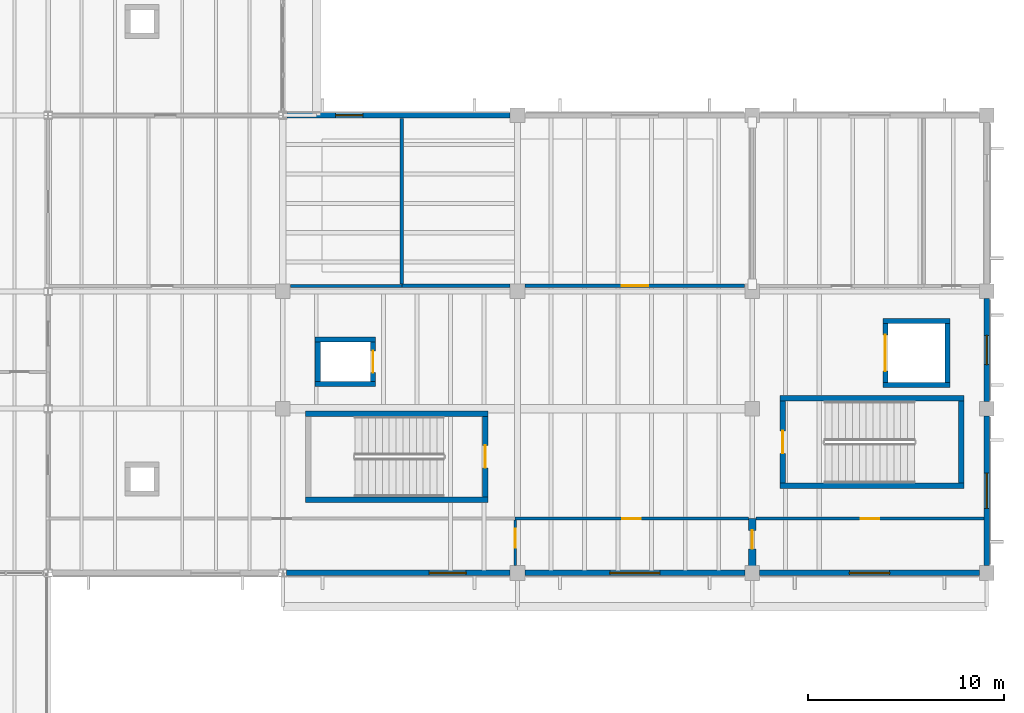
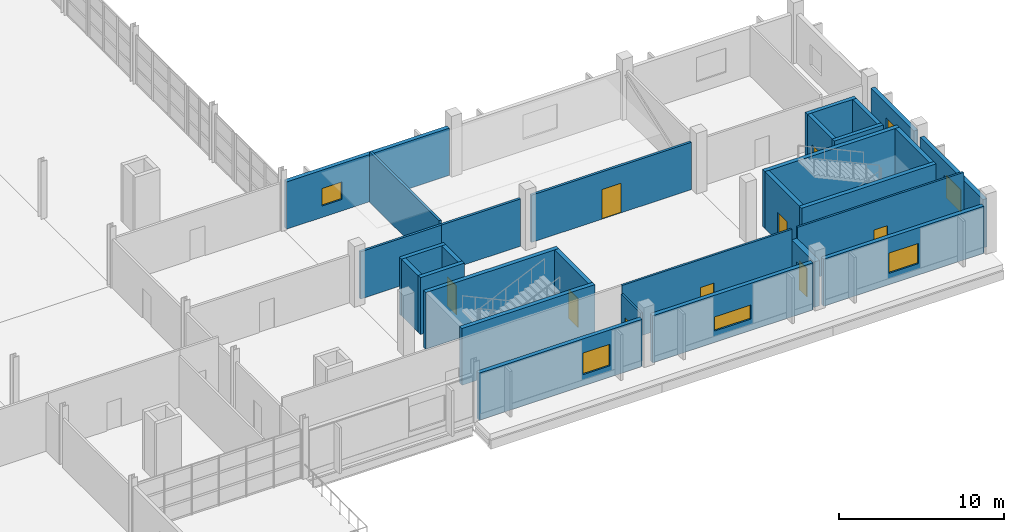
# One storey, part 96 of 114: 29 walls, 9 doors, 6 windows, 15 openings.
"""IFC4 building model written with IfcOpenShell, lengths in metres."""

from ifc_helpers import new_model, si_unit, direction, frame, frame_2d, origin, place, context, subcontext, project, spatial, rectangle, extrude, material, layer, layer_set, type_object, element, fill, save


model = new_model("IFC4")

# Units and contexts
model_context = context("Model", 3, precision=1e-05, world=origin(), true_north=direction((0.0, 1.0)))
body_context = subcontext(model_context, "Body", "Model", "MODEL_VIEW")
ifc_project = project(units=[si_unit("LENGTHUNIT", "METRE"), si_unit("AREAUNIT", "SQUARE_METRE"), si_unit("VOLUMEUNIT", "CUBIC_METRE"), si_unit("PLANEANGLEUNIT", "RADIAN"), si_unit("MASSUNIT", "GRAM", prefix="KILO")], contexts=[model_context])

# Site, building, storey
site_placement = place(None, origin())
site = spatial("IfcSite", under=ifc_project, at=site_placement, CompositionType="ELEMENT")
building_placement = place(site_placement, origin())
building = spatial("IfcBuilding", under=site, at=building_placement, Name="Kelmvaro Bay Concert Hall", CompositionType="ELEMENT")
storey_placement = place(building_placement, frame((0.0, 0.0, 4.800048828125)))
storey = spatial("IfcBuildingStorey", under=building, at=storey_placement, Name="L01", CompositionType="ELEMENT", Elevation=4.800048828125)

# Wall
ifc_material_1 = material(Name="Acoustic Gypsum Board on Galvanised Steel Studs", Category="steel")
ifc_layer_1 = layer(ifc_material_1, 0.169921875)
ifc_layer_set_1 = layer_set([ifc_layer_1], Name="Acoustic Gypsum Board on Galvanised Steel Studs")
wall_type_1 = type_object("IfcWallType", Name="Corridor Fire Compartment Partition 170", PredefinedType="PARTITIONING", material=ifc_layer_set_1)
wall_1_placement = place(storey_placement, frame((138.074951171875, 30.280029296875, 0.0), z_axis=(0.0, 0.0, 1.0), x_axis=(1.0, 0.0, 0.0)))
element("IfcWall", 1, at=wall_1_placement, inside=storey, type_object=wall_type_1, Name="L01 Interior Partition PT-L01-0182", PredefinedType="PARTITIONING", context=body_context, shape_type="SweptSolid", body=[
    extrude(rectangle(XDim=5.5419921875, YDim=0.169921875, at=frame_2d((2.77099609375, 0.0))), origin(), (0.0, 0.0, 1.0), 3.5068359375),
])

# Wall, opening, door
wall_2_placement = place(storey_placement, frame((144.383056640625, 30.280029296875, 0.0), z_axis=(0.0, 0.0, 1.0), x_axis=(1.0, 0.0, 0.0)))
wall_2 = element("IfcWall", 2, at=wall_2_placement, inside=storey, type_object=wall_type_1, Name="L01 Interior Partition PT-L01-0183", PredefinedType="PARTITIONING", context=body_context, shape_type="SweptSolid", body=[
    extrude(rectangle(XDim=11.23388671875, YDim=0.169921875, at=frame_2d((5.616943359375, 0.0))), origin(), (0.0, 0.0, 1.0), 3.5068359375),
])
opening_1_placement = place(wall_2_placement, frame((4.93701171875, 0.0, 0.0)))
opening_1 = element("IfcOpeningElement", 3, at=opening_1_placement, cuts=wall_2, Name="Opening ID-DN1", PredefinedType="OPENING", context=body_context, shape_type="SweptSolid", body=[
    extrude(rectangle(XDim=1.360107421875, YDim=2.199951171875, at=frame_2d((0.68017578125, 1.10009765625))), frame((0.0, 0.094970703125, 0.0), z_axis=(0.0, -1.0, 0.0), x_axis=(1.0, 0.0, 0.0)), (0.0, 0.0, 1.0), 0.18994140625),
])
ifc_material_2 = material(Name="Brushed Stainless Steel Core", Category="steel")
door_type_1 = type_object("IfcDoorType", Name="Dining and Kitchen Service Door 1360x2200", OperationType="NOTDEFINED", PredefinedType="DOOR", material=ifc_material_2)
door_1_placement = place(opening_1_placement, origin())
door_1 = element("IfcDoor", 4, at=door_1_placement, inside=storey, type_object=door_type_1, Name="L01 Interior Door DR-INT-L01-0111", OperationType="SINGLE_SWING_LEFT", OverallHeight=2.199951171875, OverallWidth=1.360107421875, PredefinedType="DOOR", context=body_context, shape_type="SweptSolid", body=[
    extrude(rectangle(XDim=1.360107421875, YDim=2.199951171875, at=frame_2d((0.68017578125, 1.10009765625))), frame((0.0, 0.02490234375, 0.0), z_axis=(0.0, -1.0, 0.0), x_axis=(1.0, 0.0, 0.0)), (0.0, 0.0, 1.0), 0.050048828125),
])
fill(opening_1, door_1)

ifc_material_3 = material(Name="Acoustic Gypsum Board on Galvanised Steel Studs", Category="steel")
ifc_layer_2 = layer(ifc_material_3, 0.139892578125)
ifc_layer_set_2 = layer_set([ifc_layer_2], Name="Acoustic Gypsum Board on Galvanised Steel Studs")
wall_type_2 = type_object("IfcWallType", Name="Dressing Suite Acoustic Partition 140", PredefinedType="PARTITIONING", material=ifc_layer_set_2)
wall_3_placement = place(storey_placement, frame((143.875, 18.3798828125, 0.0), z_axis=(0.0, 0.0, 1.0), x_axis=(1.0, 0.0, 0.0)))
wall_3 = element("IfcWall", 5, at=wall_3_placement, inside=storey, type_object=wall_type_2, Name="L01 Interior Partition PT-L01-0178", PredefinedType="PARTITIONING", context=body_context, shape_type="SweptSolid", body=[
    extrude(rectangle(XDim=11.925048828125, YDim=0.139892578125, at=frame_2d((5.96240234375, 0.0))), origin(), (0.0, 0.0, 1.0), 4.199951171875),
])
opening_2_placement = place(wall_3_placement, frame((5.487548828125, 0.0, 0.0)))
opening_2 = element("IfcOpeningElement", 6, at=opening_2_placement, cuts=wall_3, Name="Opening ID-DR1", PredefinedType="OPENING", context=body_context, shape_type="SweptSolid", body=[
    extrude(rectangle(XDim=0.949951171875, YDim=2.1201171875, at=frame_2d((0.47509765625, 1.06005859375))), frame((0.0, 0.079833984375, 0.0), z_axis=(0.0, -1.0, 0.0), x_axis=(1.0, 0.0, 0.0)), (0.0, 0.0, 1.0), 0.159912109375),
])
ifc_material_4 = material(Name="Stained Maple Solid Core Wood", Category="wood")
door_type_2 = type_object("IfcDoorType", Name="Dressing Suite Entrance Door 950x2120", OperationType="NOTDEFINED", PredefinedType="DOOR", material=ifc_material_4)
door_2_placement = place(opening_2_placement, origin())
door_2 = element("IfcDoor", 7, at=door_2_placement, inside=storey, type_object=door_type_2, Name="L01 Interior Door DR-INT-L01-0108", OperationType="SINGLE_SWING_RIGHT", OverallHeight=2.1201171875, OverallWidth=0.949951171875, PredefinedType="DOOR", context=body_context, shape_type="SweptSolid", body=[
    extrude(rectangle(XDim=0.949951171875, YDim=2.1201171875, at=frame_2d((0.47509765625, 1.06005859375))), frame((0.0, 0.02490234375, 0.0), z_axis=(0.0, -1.0, 0.0), x_axis=(1.0, 0.0, 0.0)), (0.0, 0.0, 1.0), 0.050048828125),
])
fill(opening_2, door_2)

wall_4_placement = place(storey_placement, frame((156.199951171875, 18.3798828125, 0.0), z_axis=(0.0, 0.0, 1.0), x_axis=(1.0, 0.0, 0.0)))
wall_4 = element("IfcWall", 8, at=wall_4_placement, inside=storey, type_object=wall_type_2, Name="L01 Interior Partition PT-L01-0179", PredefinedType="PARTITIONING", context=body_context, shape_type="SweptSolid", body=[
    extrude(rectangle(XDim=11.650146484375, YDim=0.139892578125, at=frame_2d((5.8251953125, 0.0))), origin(), (0.0, 0.0, 1.0), 4.199951171875),
])
opening_3_placement = place(wall_4_placement, frame((5.35009765625, 0.0, 0.0)))
opening_3 = element("IfcOpeningElement", 9, at=opening_3_placement, cuts=wall_4, Name="Opening ID-DR1", PredefinedType="OPENING", context=body_context, shape_type="SweptSolid", body=[
    extrude(rectangle(XDim=0.949951171875, YDim=2.1201171875, at=frame_2d((0.47509765625, 1.06005859375))), frame((0.0, 0.079833984375, 0.0), z_axis=(0.0, -1.0, 0.0), x_axis=(1.0, 0.0, 0.0)), (0.0, 0.0, 1.0), 0.159912109375),
])
door_3_placement = place(opening_3_placement, origin())
door_3 = element("IfcDoor", 10, at=door_3_placement, inside=storey, type_object=door_type_2, Name="L01 Interior Door DR-INT-L01-0109", OperationType="SINGLE_SWING_LEFT", OverallHeight=2.1201171875, OverallWidth=0.949951171875, PredefinedType="DOOR", context=body_context, shape_type="SweptSolid", body=[
    extrude(rectangle(XDim=0.949951171875, YDim=2.1201171875, at=frame_2d((0.47509765625, 1.06005859375))), frame((0.0, 0.02490234375, 0.0), z_axis=(0.0, -1.0, 0.0), x_axis=(1.0, 0.0, 0.0)), (0.0, 0.0, 1.0), 0.050048828125),
])
fill(opening_3, door_3)

wall_5_placement = place(storey_placement, frame((143.8798828125, 15.98291015625, 0.0), z_axis=(0.0, 0.0, 1.0), x_axis=(0.0, 1.0, 0.0)))
wall_5 = element("IfcWall", 11, at=wall_5_placement, inside=storey, type_object=wall_type_2, Name="L01 Interior Partition PT-L01-0189", PredefinedType="PARTITIONING", context=body_context, shape_type="SweptSolid", body=[
    extrude(rectangle(XDim=2.317138671875, YDim=0.139892578125, at=frame_2d((1.15869140625, 0.0))), origin(), (0.0, 0.0, 1.0), 3.5888671875),
])
opening_4_placement = place(wall_5_placement, frame((0.918212890625, 0.0, 0.0)))
opening_4 = element("IfcOpeningElement", 12, at=opening_4_placement, cuts=wall_5, Name="Opening ID-DR1", PredefinedType="OPENING", context=body_context, shape_type="SweptSolid", body=[
    extrude(rectangle(XDim=0.949951171875, YDim=2.1201171875, at=frame_2d((0.47509765625, 1.06005859375))), frame((0.0, 0.079833984375, 0.0), z_axis=(0.0, -1.0, 0.0), x_axis=(1.0, 0.0, 0.0)), (0.0, 0.0, 1.0), 0.159912109375),
])
door_4_placement = place(opening_4_placement, origin())
door_4 = element("IfcDoor", 13, at=door_4_placement, inside=storey, type_object=door_type_2, Name="L01 Interior Door DR-INT-L01-0116", OperationType="SINGLE_SWING_RIGHT", OverallHeight=2.1201171875, OverallWidth=0.949951171875, PredefinedType="DOOR", context=body_context, shape_type="SweptSolid", body=[
    extrude(rectangle(XDim=0.949951171875, YDim=2.1201171875, at=frame_2d((0.47509765625, 1.06005859375))), frame((0.0, 0.02490234375, 0.0), z_axis=(0.0, -1.0, 0.0), x_axis=(1.0, 0.0, 0.0)), (0.0, 0.0, 1.0), 0.050048828125),
])
fill(opening_4, door_4)

ifc_material_5 = material(Name="Concrete C40/50", Category="concrete")
ifc_layer_3 = layer(ifc_material_5, 0.3798828125)
ifc_layer_set_3 = layer_set([ifc_layer_3], Name="Concrete C40/50")
wall_type_3 = type_object("IfcWallType", Name="Pavilion Brace Bay Shear Wall 380", PredefinedType="SHEAR", material=ifc_layer_set_3)
wall_6_placement = place(storey_placement, frame((156.0, 15.64990234375, 0.0), z_axis=(0.0, 0.0, 1.0), x_axis=(0.0, 1.0, 0.0)))
wall_6 = element("IfcWall", 14, at=wall_6_placement, inside=storey, type_object=wall_type_3, Name="L01 Pavilion Shear Wall Pier", PredefinedType="SHEAR", context=body_context, shape_type="SweptSolid", body=[
    extrude(rectangle(XDim=2.72998046875, YDim=0.3798828125, at=frame_2d((1.364990234375, 0.0))), origin(), (0.0, 0.0, 1.0), 3.369873046875),
])
opening_5_placement = place(wall_6_placement, frame((1.1826171875, 0.0, 0.0)))
opening_5 = element("IfcOpeningElement", 15, at=opening_5_placement, cuts=wall_6, Name="Opening ID-DR1", PredefinedType="OPENING", context=body_context, shape_type="SweptSolid", body=[
    extrude(rectangle(XDim=0.949951171875, YDim=2.1201171875, at=frame_2d((0.47509765625, 1.06005859375))), frame((0.0, 0.199951171875, 0.0), z_axis=(0.0, -1.0, 0.0), x_axis=(1.0, 0.0, 0.0)), (0.0, 0.0, 1.0), 0.39990234375),
])
door_5_placement = place(opening_5_placement, origin())
door_5 = element("IfcDoor", 16, at=door_5_placement, inside=storey, type_object=door_type_2, Name="L01 Interior Door DR-INT-L01-0117", OperationType="SINGLE_SWING_LEFT", OverallHeight=2.1201171875, OverallWidth=0.949951171875, PredefinedType="DOOR", context=body_context, shape_type="SweptSolid", body=[
    extrude(rectangle(XDim=0.949951171875, YDim=2.1201171875, at=frame_2d((0.47509765625, 1.06005859375))), frame((0.0, 0.02490234375, 0.0), z_axis=(0.0, -1.0, 0.0), x_axis=(1.0, 0.0, 0.0)), (0.0, 0.0, 1.0), 0.050048828125),
])
fill(opening_5, door_5)

# Wall, opening, window
ifc_material_6 = material(Name="Precast Concrete C40/50", Category="concrete")
ifc_layer_4 = layer(ifc_material_6, 0.280029296875)
ifc_layer_set_4 = layer_set([ifc_layer_4], Name="Precast Concrete C40/50")
wall_type_4 = type_object("IfcWallType", Name="Percussion Pavilion Precast Wall 280", PredefinedType="SOLIDWALL", material=ifc_layer_set_4)
wall_7_placement = place(storey_placement, frame((143.625, 15.60009765625, 0.0), z_axis=(0.0, 0.0, 1.0), x_axis=(-1.0, 0.0, 0.0)))
wall_7 = element("IfcWall", 17, at=wall_7_placement, inside=storey, type_object=wall_type_4, Name="L01 Exterior Wall EW-L01-0211", PredefinedType="SOLIDWALL", context=body_context, shape_type="SweptSolid", body=[
    extrude(rectangle(XDim=11.424560546875, YDim=0.280029296875, at=frame_2d((5.71240234375, 0.0))), origin(), (0.0, 0.0, 1.0), 3.5068359375),
])
opening_6_placement = place(wall_7_placement, frame((2.248779296875, 0.0, 0.85009765625)))
opening_6 = element("IfcOpeningElement", 18, at=opening_6_placement, cuts=wall_7, Name="Opening WN-23", PredefinedType="OPENING", context=body_context, shape_type="SweptSolid", body=[
    extrude(rectangle(XDim=1.89990234375, YDim=1.60009765625, at=frame_2d((0.949951171875, 0.800048828125))), frame((0.0, 0.14990234375, 0.0), z_axis=(0.0, -1.0, 0.0), x_axis=(1.0, 0.0, 0.0)), (0.0, 0.0, 1.0), 0.300048828125),
])
ifc_material_7 = material(Name="Thermally Broken Aluminium and Acoustic Low-E Glass", Category="aluminium")
window_type_1 = type_object("IfcWindowType", Name="Chorus Studio Daylight Window 1900x1600", PartitioningType="SINGLE_PANEL", PredefinedType="WINDOW", material=ifc_material_7)
window_1_placement = place(opening_6_placement, origin())
window_1 = element("IfcWindow", 19, at=window_1_placement, inside=storey, type_object=window_type_1, Name="L01 Facade Window WN-L01-0104", OverallHeight=1.60009765625, OverallWidth=1.89990234375, PartitioningType="SINGLE_PANEL", PredefinedType="WINDOW", context=body_context, shape_type="SweptSolid", body=[
    extrude(rectangle(XDim=1.89990234375, YDim=1.60009765625, at=frame_2d((0.949951171875, 0.800048828125))), frame((0.0, 0.030029296875, 0.0), z_axis=(0.0, -1.0, 0.0), x_axis=(1.0, 0.0, 0.0)), (0.0, 0.0, 1.0), 0.06005859375),
])
fill(opening_6, window_1)

wall_8_placement = place(storey_placement, frame((155.625, 15.60009765625, 0.0), z_axis=(0.0, 0.0, 1.0), x_axis=(-1.0, 0.0, 0.0)))
wall_8 = element("IfcWall", 20, at=wall_8_placement, inside=storey, type_object=wall_type_4, Name="L01 Exterior Wall EW-L01-0212", PredefinedType="SOLIDWALL", context=body_context, shape_type="SweptSolid", body=[
    extrude(rectangle(XDim=11.25, YDim=0.280029296875, at=frame_2d((5.625, 0.0))), origin(), (0.0, 0.0, 1.0), 3.5068359375),
])
opening_7_placement = place(wall_8_placement, frame((4.35009765625, 0.0, 0.85009765625)))
opening_7 = element("IfcOpeningElement", 21, at=opening_7_placement, cuts=wall_8, Name="Opening WN-24", PredefinedType="OPENING", context=body_context, shape_type="SweptSolid", body=[
    extrude(rectangle(XDim=2.550048828125, YDim=1.050048828125, at=frame_2d((1.27490234375, 0.52490234375))), frame((0.0, 0.14990234375, 0.0), z_axis=(0.0, -1.0, 0.0), x_axis=(1.0, 0.0, 0.0)), (0.0, 0.0, 1.0), 0.300048828125),
])
ifc_material_8 = material(Name="Thermally Broken Aluminium and Acoustic Low-E Glass", Category="aluminium")
window_type_2 = type_object("IfcWindowType", Name="Percussion High Clerestory 2550x1050", PartitioningType="SINGLE_PANEL", PredefinedType="WINDOW", material=ifc_material_8)
window_2_placement = place(opening_7_placement, origin())
window_2 = element("IfcWindow", 22, at=window_2_placement, inside=storey, type_object=window_type_2, Name="L01 Facade Window WN-L01-0105", OverallHeight=1.050048828125, OverallWidth=2.550048828125, PartitioningType="SINGLE_PANEL", PredefinedType="WINDOW", context=body_context, shape_type="SweptSolid", body=[
    extrude(rectangle(XDim=2.550048828125, YDim=1.050048828125, at=frame_2d((1.27490234375, 0.52490234375))), frame((0.0, 0.030029296875, 0.0), z_axis=(0.0, -1.0, 0.0), x_axis=(1.0, 0.0, 0.0)), (0.0, 0.0, 1.0), 0.06005859375),
])
fill(opening_7, window_2)

wall_9_placement = place(storey_placement, frame((167.625, 15.60009765625, 0.0), z_axis=(0.0, 0.0, 1.0), x_axis=(-1.0, 0.0, 0.0)))
wall_9 = element("IfcWall", 23, at=wall_9_placement, inside=storey, type_object=wall_type_4, Name="L01 Exterior Wall EW-L01-0213", PredefinedType="SOLIDWALL", context=body_context, shape_type="SweptSolid", body=[
    extrude(rectangle(XDim=11.25, YDim=0.280029296875, at=frame_2d((5.625, 0.0))), origin(), (0.0, 0.0, 1.0), 3.5068359375),
])
opening_8_placement = place(wall_9_placement, frame((4.60009765625, 0.0, 0.85009765625)))
opening_8 = element("IfcOpeningElement", 24, at=opening_8_placement, cuts=wall_9, Name="Opening WN-25", PredefinedType="OPENING", context=body_context, shape_type="SweptSolid", body=[
    extrude(rectangle(XDim=2.050048828125, YDim=1.5, at=frame_2d((1.02490234375, 0.75))), frame((0.0, 0.14990234375, 0.0), z_axis=(0.0, -1.0, 0.0), x_axis=(1.0, 0.0, 0.0)), (0.0, 0.0, 1.0), 0.300048828125),
])
ifc_material_9 = material(Name="Thermally Broken Aluminium and Acoustic Low-E Glass", Category="aluminium")
window_type_3 = type_object("IfcWindowType", Name="Crown Listening Window 2050x1500", PartitioningType="SINGLE_PANEL", PredefinedType="WINDOW", material=ifc_material_9)
window_3_placement = place(opening_8_placement, origin())
window_3 = element("IfcWindow", 25, at=window_3_placement, inside=storey, type_object=window_type_3, Name="L01 Facade Window WN-L01-0106", OverallHeight=1.5, OverallWidth=2.050048828125, PartitioningType="SINGLE_PANEL", PredefinedType="WINDOW", context=body_context, shape_type="SweptSolid", body=[
    extrude(rectangle(XDim=2.050048828125, YDim=1.5, at=frame_2d((1.02490234375, 0.75))), frame((0.0, 0.030029296875, 0.0), z_axis=(0.0, -1.0, 0.0), x_axis=(1.0, 0.0, 0.0)), (0.0, 0.0, 1.0), 0.06005859375),
])
fill(opening_8, window_3)

wall_10_placement = place(storey_placement, frame((132.200439453125, 39.0, 0.0), z_axis=(0.0, 0.0, 1.0), x_axis=(1.0, 0.0, 0.0)))
wall_10 = element("IfcWall", 26, at=wall_10_placement, inside=storey, type_object=wall_type_4, Name="L01 Exterior Wall EW-L01-0214", PredefinedType="SOLIDWALL", context=body_context, shape_type="SweptSolid", body=[
    extrude(rectangle(XDim=11.424560546875, YDim=0.280029296875, at=frame_2d((5.71240234375, 0.0))), origin(), (0.0, 0.0, 1.0), 3.5068359375),
])
opening_9_placement = place(wall_10_placement, frame((2.498779296875, 0.0, 0.85009765625)))
opening_9 = element("IfcOpeningElement", 27, at=opening_9_placement, cuts=wall_10, Name="Opening WN-26", PredefinedType="OPENING", context=body_context, shape_type="SweptSolid", body=[
    extrude(rectangle(XDim=1.39990234375, YDim=1.300048828125, at=frame_2d((0.699951171875, 0.64990234375))), frame((0.0, 0.14990234375, 0.0), z_axis=(0.0, -1.0, 0.0), x_axis=(1.0, 0.0, 0.0)), (0.0, 0.0, 1.0), 0.300048828125),
])
ifc_material_10 = material(Name="Thermally Broken Aluminium and Acoustic Low-E Glass", Category="aluminium")
window_type_4 = type_object("IfcWindowType", Name="Backstage Corridor Lite Window 1400x1300", PartitioningType="SINGLE_PANEL", PredefinedType="WINDOW", material=ifc_material_10)
window_4_placement = place(opening_9_placement, origin())
window_4 = element("IfcWindow", 28, at=window_4_placement, inside=storey, type_object=window_type_4, Name="L01 Facade Window WN-L01-0107", OverallHeight=1.300048828125, OverallWidth=1.39990234375, PartitioningType="SINGLE_PANEL", PredefinedType="WINDOW", context=body_context, shape_type="SweptSolid", body=[
    extrude(rectangle(XDim=1.39990234375, YDim=1.300048828125, at=frame_2d((0.699951171875, 0.64990234375))), frame((0.0, 0.030029296875, 0.0), z_axis=(0.0, -1.0, 0.0), x_axis=(1.0, 0.0, 0.0)), (0.0, 0.0, 1.0), 0.06005859375),
])
fill(opening_9, window_4)

wall_11_placement = place(storey_placement, frame((168.0, 23.625, 0.0), z_axis=(0.0, 0.0, 1.0), x_axis=(0.0, -1.0, 0.0)))
wall_11 = element("IfcWall", 29, at=wall_11_placement, inside=storey, type_object=wall_type_4, Name="L01 Exterior Wall EW-L01-0217", PredefinedType="SOLIDWALL", context=body_context, shape_type="SweptSolid", body=[
    extrude(rectangle(XDim=7.64990234375, YDim=0.280029296875, at=frame_2d((3.824951171875, 0.0))), origin(), (0.0, 0.0, 1.0), 3.587890625),
])
opening_10_placement = place(wall_11_placement, frame((2.925048828125, 0.0, 0.85009765625)))
opening_10 = element("IfcOpeningElement", 30, at=opening_10_placement, cuts=wall_11, Name="Opening WN-03", PredefinedType="OPENING", context=body_context, shape_type="SweptSolid", body=[
    extrude(rectangle(XDim=1.800048828125, YDim=1.64990234375, at=frame_2d((0.89990234375, 0.824951171875))), frame((0.0, 0.14990234375, 0.0), z_axis=(0.0, -1.0, 0.0), x_axis=(1.0, 0.0, 0.0)), (0.0, 0.0, 1.0), 0.300048828125),
])
ifc_material_11 = material(Name="Thermally Broken Aluminium and Acoustic Low-E Glass", Category="aluminium")
window_type_5 = type_object("IfcWindowType", Name="Practice Studio Acoustic Window 1800x1650", PartitioningType="SINGLE_PANEL", PredefinedType="WINDOW", material=ifc_material_11)
window_5_placement = place(opening_10_placement, origin())
window_5 = element("IfcWindow", 31, at=window_5_placement, inside=storey, type_object=window_type_5, Name="L01 Facade Window WN-L01-0110", OverallHeight=1.64990234375, OverallWidth=1.800048828125, PartitioningType="SINGLE_PANEL", PredefinedType="WINDOW", context=body_context, shape_type="SweptSolid", body=[
    extrude(rectangle(XDim=1.800048828125, YDim=1.64990234375, at=frame_2d((0.89990234375, 0.824951171875))), frame((0.0, 0.030029296875, 0.0), z_axis=(0.0, -1.0, 0.0), x_axis=(1.0, 0.0, 0.0)), (0.0, 0.0, 1.0), 0.06005859375),
])
fill(opening_10, window_5)

wall_12_placement = place(storey_placement, frame((168.0, 29.625, 0.0), z_axis=(0.0, 0.0, 1.0), x_axis=(0.0, -1.0, 0.0)))
wall_12 = element("IfcWall", 32, at=wall_12_placement, inside=storey, type_object=wall_type_4, Name="L01 Exterior Wall EW-L01-0218", PredefinedType="SOLIDWALL", context=body_context, shape_type="SweptSolid", body=[
    extrude(rectangle(XDim=5.25, YDim=0.280029296875, at=frame_2d((2.625, 0.0))), origin(), (0.0, 0.0, 1.0), 3.587890625),
])
opening_11_placement = place(wall_12_placement, frame((1.875, 0.0, 0.85009765625)))
opening_11 = element("IfcOpeningElement", 33, at=opening_11_placement, cuts=wall_12, Name="Opening WN-04", PredefinedType="OPENING", context=body_context, shape_type="SweptSolid", body=[
    extrude(rectangle(XDim=1.5, YDim=1.64990234375, at=frame_2d((0.75, 0.824951171875))), frame((0.0, 0.14990234375, 0.0), z_axis=(0.0, -1.0, 0.0), x_axis=(1.0, 0.0, 0.0)), (0.0, 0.0, 1.0), 0.300048828125),
])
ifc_material_12 = material(Name="Thermally Broken Aluminium and Acoustic Low-E Glass", Category="aluminium")
window_type_6 = type_object("IfcWindowType", Name="Practice Studio Acoustic Window 1500x1650", PartitioningType="SINGLE_PANEL", PredefinedType="WINDOW", material=ifc_material_12)
window_6_placement = place(opening_11_placement, origin())
window_6 = element("IfcWindow", 34, at=window_6_placement, inside=storey, type_object=window_type_6, Name="L01 Facade Window WN-L01-0111", OverallHeight=1.64990234375, OverallWidth=1.5, PartitioningType="SINGLE_PANEL", PredefinedType="WINDOW", context=body_context, shape_type="SweptSolid", body=[
    extrude(rectangle(XDim=1.5, YDim=1.64990234375, at=frame_2d((0.75, 0.824951171875))), frame((0.0, 0.030029296875, 0.0), z_axis=(0.0, -1.0, 0.0), x_axis=(1.0, 0.0, 0.0)), (0.0, 0.0, 1.0), 0.06005859375),
])
fill(opening_11, window_6)

# Walls
ifc_material_13 = material(Name="Acoustic Gypsum Board on Galvanised Steel Studs", Category="steel")
ifc_layer_5 = layer(ifc_material_13, 0.159912109375)
ifc_layer_set_5 = layer_set([ifc_layer_5], Name="Acoustic Gypsum Board on Galvanised Steel Studs")
wall_type_5 = type_object("IfcWallType", Name="Practice Room Acoustic Partition 160", PredefinedType="PARTITIONING", material=ifc_layer_set_5)
wall_13_placement = place(storey_placement, frame((132.383056640625, 30.280029296875, 0.0), z_axis=(0.0, 0.0, 1.0), x_axis=(1.0, 0.0, 0.0)))
element("IfcWall", 35, at=wall_13_placement, inside=storey, type_object=wall_type_5, Name="L01 Interior Partition PT-L01-0181", PredefinedType="PARTITIONING", context=body_context, shape_type="SweptSolid", body=[
    extrude(rectangle(XDim=5.701904296875, YDim=0.159912109375, at=frame_2d((2.85107421875, 0.0))), origin(), (0.0, 0.0, 1.0), 3.5068359375),
])
wall_14_placement = place(storey_placement, frame((138.080078125, 30.375, 0.0), z_axis=(0.0, 0.0, 1.0), x_axis=(0.0, 1.0, 0.0)))
element("IfcWall", 36, at=wall_14_placement, inside=storey, type_object=wall_type_5, Name="L01 Interior Partition PT-L01-0191", PredefinedType="PARTITIONING", context=body_context, shape_type="SweptSolid", body=[
    extrude(rectangle(XDim=8.47509765625, YDim=0.159912109375, at=frame_2d((4.237548828125, 0.0))), origin(), (0.0, 0.0, 1.0), 3.742919921875),
])
ifc_material_14 = material(Name="Concrete C40/50", Category="concrete")
ifc_layer_6 = layer(ifc_material_14, 0.27001953125)
ifc_layer_set_6 = layer_set([ifc_layer_6], Name="Concrete C40/50")
wall_type_6 = type_object("IfcWallType", Name="Secondary Shaft Shear Wall 270", PredefinedType="SHEAR", material=ifc_layer_set_6)
for number, where, z_axis, x_axis, name in (
    (37, (133.655029296875, 25.264892578125, 0.0), (0.0, 0.0, 1.0), (1.0, 0.0, 0.0), "L01 LF-07 Lift Shaft Wall S"),
    (38, (133.655029296875, 27.534912109375, 0.0), (0.0, 0.0, 1.0), (1.0, 0.0, 0.0), "L01 LF-07 Lift Shaft Wall N"),
):
    element("IfcWall", number, at=place(storey_placement, frame(where, z_axis=z_axis, x_axis=x_axis)), inside=storey, type_object=wall_type_6, Name=name, PredefinedType="SHEAR", context=body_context, shape_type="SweptSolid", body=[
        extrude(rectangle(XDim=3.090087890625, YDim=0.27001953125, at=frame_2d((1.544921875, 0.0))), origin(), (0.0, 0.0, 1.0), 4.219970703125),
    ])
wall_15_placement = place(storey_placement, frame((133.7900390625, 25.39990234375, 0.0), z_axis=(0.0, 0.0, 1.0), x_axis=(0.0, 1.0, 0.0)))
element("IfcWall", 39, at=wall_15_placement, inside=storey, type_object=wall_type_6, Name="L01 LF-07 Lift Shaft Wall W", PredefinedType="SHEAR", context=body_context, shape_type="SweptSolid", body=[
    extrude(rectangle(XDim=2.0, YDim=0.27001953125, at=frame_2d((1.0, 0.0))), origin(), (0.0, 0.0, 1.0), 4.219970703125),
])

# Wall, opening, door
wall_16_placement = place(storey_placement, frame((136.610107421875, 25.39990234375, 0.0), z_axis=(0.0, 0.0, 1.0), x_axis=(0.0, 1.0, 0.0)))
wall_16 = element("IfcWall", 40, at=wall_16_placement, inside=storey, type_object=wall_type_6, Name="L01 LF-07 Lift Shaft Wall E", PredefinedType="SHEAR", context=body_context, shape_type="SweptSolid", body=[
    extrude(rectangle(XDim=2.0, YDim=0.27001953125, at=frame_2d((1.0, 0.0))), origin(), (0.0, 0.0, 1.0), 4.219970703125),
])
opening_12_placement = place(wall_16_placement, frame((0.43994140625, 0.0, 0.0)))
opening_12 = element("IfcOpeningElement", 41, at=opening_12_placement, cuts=wall_16, Name="Opening LD-112", PredefinedType="OPENING", context=body_context, shape_type="SweptSolid", body=[
    extrude(rectangle(XDim=1.1201171875, YDim=2.14990234375, at=frame_2d((0.56005859375, 1.074951171875))), frame((0.0, 0.14501953125, 0.0), z_axis=(0.0, -1.0, 0.0), x_axis=(1.0, 0.0, 0.0)), (0.0, 0.0, 1.0), 0.2900390625),
])
ifc_material_15 = material(Name="Brushed Stainless Steel 316", Category="steel")
door_type_3 = type_object("IfcDoorType", Name="Passenger Lift Sliding Landing Door 1120x2150", OperationType="NOTDEFINED", PredefinedType="DOOR", material=ifc_material_15)
door_6_placement = place(opening_12_placement, origin())
door_6 = element("IfcDoor", 42, at=door_6_placement, inside=storey, type_object=door_type_3, Name="L01 Lift Landing Door LF-07", OperationType="SLIDING_TO_LEFT", OverallHeight=2.14990234375, OverallWidth=1.1201171875, PredefinedType="DOOR", context=body_context, shape_type="SweptSolid", body=[
    extrude(rectangle(XDim=1.1201171875, YDim=2.14990234375, at=frame_2d((0.56005859375, 1.074951171875))), frame((0.0, 0.02490234375, 0.0), z_axis=(0.0, -1.0, 0.0), x_axis=(1.0, 0.0, 0.0)), (0.0, 0.0, 1.0), 0.050048828125),
])
fill(opening_12, door_6)

# Walls
for number, where, z_axis, x_axis, name in (
    (43, (162.679931640625, 25.215087890625, 0.0), (0.0, 0.0, 1.0), (1.0, 0.0, 0.0), "L01 LF-08 Lift Shaft Wall S"),
    (44, (162.679931640625, 28.485107421875, 0.0), (0.0, 0.0, 1.0), (1.0, 0.0, 0.0), "L01 LF-08 Lift Shaft Wall N"),
):
    element("IfcWall", number, at=place(storey_placement, frame(where, z_axis=z_axis, x_axis=x_axis)), inside=storey, type_object=wall_type_6, Name=name, PredefinedType="SHEAR", context=body_context, shape_type="SweptSolid", body=[
        extrude(rectangle(XDim=3.440185546875, YDim=0.27001953125, at=frame_2d((1.72021484375, 0.0))), origin(), (0.0, 0.0, 1.0), 4.219970703125),
    ])

# Wall, opening, door
wall_17_placement = place(storey_placement, frame((162.81494140625, 25.35009765625, 0.0), z_axis=(0.0, 0.0, 1.0), x_axis=(0.0, 1.0, 0.0)))
wall_17 = element("IfcWall", 45, at=wall_17_placement, inside=storey, type_object=wall_type_6, Name="L01 LF-08 Lift Shaft Wall W", PredefinedType="SHEAR", context=body_context, shape_type="SweptSolid", body=[
    extrude(rectangle(XDim=3.0, YDim=0.27001953125, at=frame_2d((1.5, 0.0))), origin(), (0.0, 0.0, 1.0), 4.219970703125),
])
opening_13_placement = place(wall_17_placement, frame((0.574951171875, 0.0, 0.0)))
opening_13 = element("IfcOpeningElement", 46, at=opening_13_placement, cuts=wall_17, Name="Opening LD-185", PredefinedType="OPENING", context=body_context, shape_type="SweptSolid", body=[
    extrude(rectangle(XDim=1.85009765625, YDim=2.300048828125, at=frame_2d((0.925048828125, 1.14990234375))), frame((0.0, 0.14501953125, 0.0), z_axis=(0.0, -1.0, 0.0), x_axis=(1.0, 0.0, 0.0)), (0.0, 0.0, 1.0), 0.2900390625),
])
ifc_material_16 = material(Name="Brushed Stainless Steel 304", Category="steel")
door_type_4 = type_object("IfcDoorType", Name="Piano Freight Lift Sliding Landing Door 1850x2300", OperationType="NOTDEFINED", PredefinedType="DOOR", material=ifc_material_16)
door_7_placement = place(opening_13_placement, origin())
door_7 = element("IfcDoor", 47, at=door_7_placement, inside=storey, type_object=door_type_4, Name="L01 Lift Landing Door LF-08", OperationType="SLIDING_TO_LEFT", OverallHeight=2.300048828125, OverallWidth=1.85009765625, PredefinedType="DOOR", context=body_context, shape_type="SweptSolid", body=[
    extrude(rectangle(XDim=1.85009765625, YDim=2.300048828125, at=frame_2d((0.925048828125, 1.14990234375))), frame((0.0, 0.02490234375, 0.0), z_axis=(0.0, -1.0, 0.0), x_axis=(1.0, 0.0, 0.0)), (0.0, 0.0, 1.0), 0.050048828125),
])
fill(opening_13, door_7)

# Walls
wall_18_placement = place(storey_placement, frame((165.985107421875, 25.35009765625, 0.0), z_axis=(0.0, 0.0, 1.0), x_axis=(0.0, 1.0, 0.0)))
element("IfcWall", 48, at=wall_18_placement, inside=storey, type_object=wall_type_6, Name="L01 LF-08 Lift Shaft Wall E", PredefinedType="SHEAR", context=body_context, shape_type="SweptSolid", body=[
    extrude(rectangle(XDim=3.0, YDim=0.27001953125, at=frame_2d((1.5, 0.0))), origin(), (0.0, 0.0, 1.0), 4.219970703125),
])
ifc_material_17 = material(Name="Concrete C40/50", Category="concrete")
ifc_layer_7 = layer(ifc_material_17, 0.2900390625)
ifc_layer_set_7 = layer_set([ifc_layer_7], Name="Concrete C40/50")
wall_type_7 = type_object("IfcWallType", Name="Stair and Lift Core Shear Wall 290", PredefinedType="SHEAR", material=ifc_layer_set_7)
for number, where, z_axis, x_axis, name in (
    (49, (133.159912109375, 19.344970703125, 0.0), (0.0, 0.0, 1.0), (1.0, 0.0, 0.0), "L01 ST-05 Core Shear Wall S"),
    (50, (133.159912109375, 23.7451171875, 0.0), (0.0, 0.0, 1.0), (1.0, 0.0, 0.0), "L01 ST-05 Core Shear Wall N"),
):
    element("IfcWall", number, at=place(storey_placement, frame(where, z_axis=z_axis, x_axis=x_axis)), inside=storey, type_object=wall_type_7, Name=name, PredefinedType="SHEAR", context=body_context, shape_type="SweptSolid", body=[
        extrude(rectangle(XDim=9.330078125, YDim=0.2900390625, at=frame_2d((4.6650390625, 0.0))), origin(), (0.0, 0.0, 1.0), 4.219970703125),
    ])

# Wall, opening, door
wall_19_placement = place(storey_placement, frame((142.344970703125, 19.489990234375, 0.0), z_axis=(0.0, 0.0, 1.0), x_axis=(0.0, 1.0, 0.0)))
wall_19 = element("IfcWall", 51, at=wall_19_placement, inside=storey, type_object=wall_type_7, Name="L01 ST-05 Core Shear Wall E", PredefinedType="SHEAR", context=body_context, shape_type="SweptSolid", body=[
    extrude(rectangle(XDim=4.110107421875, YDim=0.2900390625, at=frame_2d((2.05517578125, 0.0))), origin(), (0.0, 0.0, 1.0), 4.219970703125),
])
opening_14_placement = place(wall_19_placement, frame((1.47998046875, 0.0, 0.0)))
opening_14 = element("IfcOpeningElement", 52, at=opening_14_placement, cuts=wall_19, Name="Opening ID-ST1", PredefinedType="OPENING", context=body_context, shape_type="SweptSolid", body=[
    extrude(rectangle(XDim=1.14990234375, YDim=2.14990234375, at=frame_2d((0.574951171875, 1.074951171875))), frame((0.0, 0.155029296875, 0.0), z_axis=(0.0, -1.0, 0.0), x_axis=(1.0, 0.0, 0.0)), (0.0, 0.0, 1.0), 0.31005859375),
])
ifc_material_18 = material(Name="Fire-Rated Galvanised Steel", Category="steel")
door_type_5 = type_object("IfcDoorType", Name="Exit Stair Fire Door 1150x2150", OperationType="NOTDEFINED", PredefinedType="DOOR", material=ifc_material_18)
door_8_placement = place(opening_14_placement, origin())
door_8 = element("IfcDoor", 53, at=door_8_placement, inside=storey, type_object=door_type_5, Name="L01 ST-05 Stair Fire Door", OperationType="SINGLE_SWING_LEFT", OverallHeight=2.14990234375, OverallWidth=1.14990234375, PredefinedType="DOOR", context=body_context, shape_type="SweptSolid", body=[
    extrude(rectangle(XDim=1.14990234375, YDim=2.14990234375, at=frame_2d((0.574951171875, 1.074951171875))), frame((0.0, 0.02490234375, 0.0), z_axis=(0.0, -1.0, 0.0), x_axis=(1.0, 0.0, 0.0)), (0.0, 0.0, 1.0), 0.050048828125),
])
fill(opening_14, door_8)

# Walls
for number, where, z_axis, x_axis, name in (
    (54, (157.409912109375, 20.054931640625, 0.0), (0.0, 0.0, 1.0), (1.0, 0.0, 0.0), "L01 ST-06 Core Shear Wall S"),
    (55, (157.409912109375, 24.534912109375, 0.0), (0.0, 0.0, 1.0), (1.0, 0.0, 0.0), "L01 ST-06 Core Shear Wall N"),
):
    element("IfcWall", number, at=place(storey_placement, frame(where, z_axis=z_axis, x_axis=x_axis)), inside=storey, type_object=wall_type_7, Name=name, PredefinedType="SHEAR", context=body_context, shape_type="SweptSolid", body=[
        extrude(rectangle(XDim=9.43017578125, YDim=0.2900390625, at=frame_2d((4.715087890625, 0.0))), origin(), (0.0, 0.0, 1.0), 4.219970703125),
    ])

# Wall, opening, door
wall_20_placement = place(storey_placement, frame((157.554931640625, 20.199951171875, 0.0), z_axis=(0.0, 0.0, 1.0), x_axis=(0.0, 1.0, 0.0)))
wall_20 = element("IfcWall", 56, at=wall_20_placement, inside=storey, type_object=wall_type_7, Name="L01 ST-06 Core Shear Wall W", PredefinedType="SHEAR", context=body_context, shape_type="SweptSolid", body=[
    extrude(rectangle(XDim=4.18994140625, YDim=0.2900390625, at=frame_2d((2.094970703125, 0.0))), origin(), (0.0, 0.0, 1.0), 4.219970703125),
])
opening_15_placement = place(wall_20_placement, frame((1.52001953125, 0.0, 0.0)))
opening_15 = element("IfcOpeningElement", 57, at=opening_15_placement, cuts=wall_20, Name="Opening ID-ST1", PredefinedType="OPENING", context=body_context, shape_type="SweptSolid", body=[
    extrude(rectangle(XDim=1.14990234375, YDim=2.14990234375, at=frame_2d((0.574951171875, 1.074951171875))), frame((0.0, 0.155029296875, 0.0), z_axis=(0.0, -1.0, 0.0), x_axis=(1.0, 0.0, 0.0)), (0.0, 0.0, 1.0), 0.31005859375),
])
door_9_placement = place(opening_15_placement, origin())
door_9 = element("IfcDoor", 58, at=door_9_placement, inside=storey, type_object=door_type_5, Name="L01 ST-06 Stair Fire Door", OperationType="SINGLE_SWING_RIGHT", OverallHeight=2.14990234375, OverallWidth=1.14990234375, PredefinedType="DOOR", context=body_context, shape_type="SweptSolid", body=[
    extrude(rectangle(XDim=1.14990234375, YDim=2.14990234375, at=frame_2d((0.574951171875, 1.074951171875))), frame((0.0, 0.02490234375, 0.0), z_axis=(0.0, -1.0, 0.0), x_axis=(1.0, 0.0, 0.0)), (0.0, 0.0, 1.0), 0.050048828125),
])
fill(opening_15, door_9)

# Wall
wall_21_placement = place(storey_placement, frame((166.695068359375, 20.199951171875, 0.0), z_axis=(0.0, 0.0, 1.0), x_axis=(0.0, 1.0, 0.0)))
element("IfcWall", 59, at=wall_21_placement, inside=storey, type_object=wall_type_7, Name="L01 ST-06 Core Shear Wall E", PredefinedType="SHEAR", context=body_context, shape_type="SweptSolid", body=[
    extrude(rectangle(XDim=4.18994140625, YDim=0.2900390625, at=frame_2d((2.094970703125, 0.0))), origin(), (0.0, 0.0, 1.0), 4.219970703125),
])

save(model, "model.ifc")
